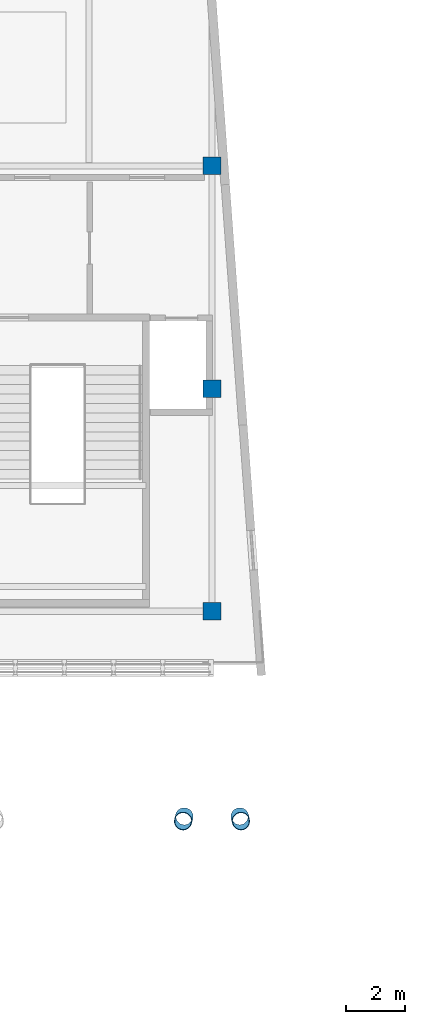
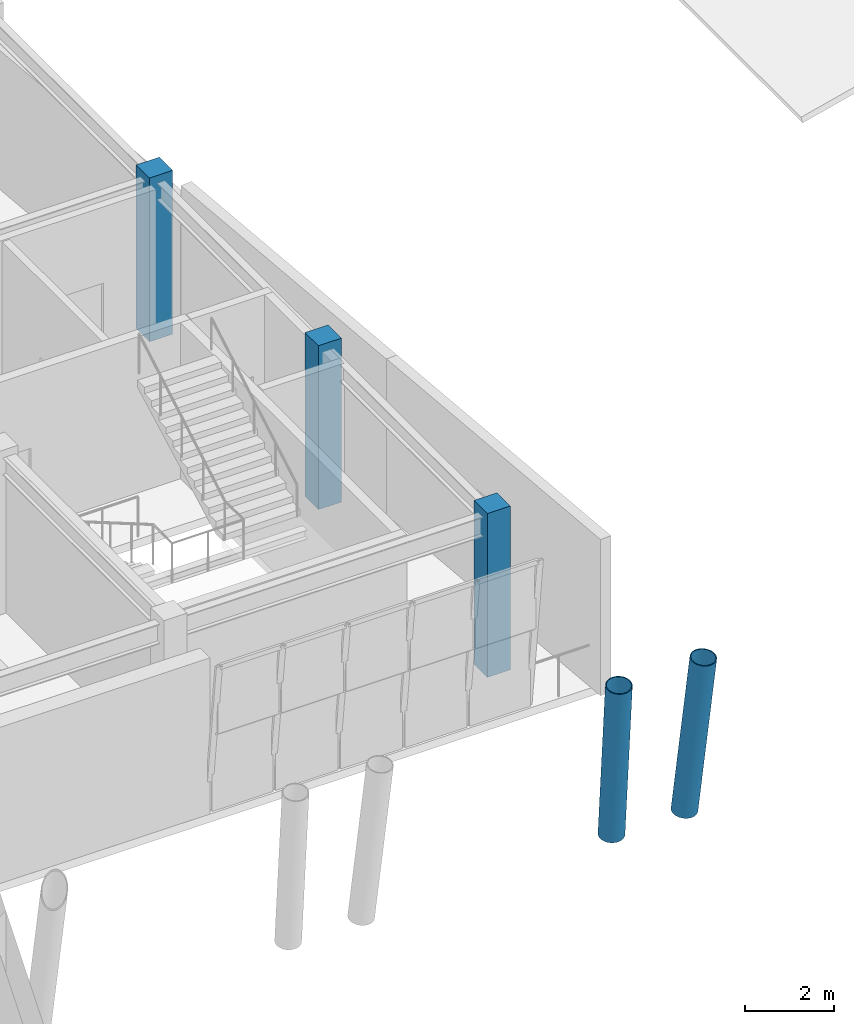
# One storey, part 2 of 28: 5 columns.
"""IFC4 building model written with IfcOpenShell, lengths in metres."""

from ifc_helpers import new_model, si_unit, direction, frame, origin, origin_2d, place, context, subcontext, project, spatial, rectangle, hollow_circle, extrude, material, material_profile, profile_set, type_object, element, save


model = new_model("IFC4")

# Units and contexts
model_context = context("Model", 3, precision=1e-05, world=origin(), true_north=direction((0.0, 1.0)))
body_context = subcontext(model_context, "Body", "Model", "MODEL_VIEW")
ifc_project = project(units=[si_unit("LENGTHUNIT", "METRE"), si_unit("AREAUNIT", "SQUARE_METRE"), si_unit("VOLUMEUNIT", "CUBIC_METRE"), si_unit("PLANEANGLEUNIT", "RADIAN"), si_unit("MASSUNIT", "GRAM", prefix="KILO")], contexts=[model_context])

# Site, building, storey
site_placement = place(None, origin())
site = spatial("IfcSite", under=ifc_project, at=site_placement, CompositionType="ELEMENT")
building_placement = place(site_placement, origin())
building = spatial("IfcBuilding", under=site, at=building_placement, Name="Xicomal Pleat Aquarium", CompositionType="ELEMENT")
storey_placement = place(building_placement, frame((0.0, 0.0, 15.300048828125)))
storey = spatial("IfcBuildingStorey", under=building, at=storey_placement, Name="L04", CompositionType="ELEMENT", Elevation=15.300048828125)

# Columns
ifc_material_1 = material(Name="Concrete C40/50", Category="concrete")
ifc_material_profile_1 = material_profile(ifc_material_1, rectangle(XDim=0.60009765625, YDim=0.60009765625, at=origin_2d()), Name="RC 600x600")
ifc_profile_set_1 = profile_set([ifc_material_profile_1], Name="Concrete C40/50")
column_type_1 = type_object("IfcColumnType", Name="COL-RC-600x600", PredefinedType="COLUMN", material=ifc_profile_set_1)
for number, where, z_axis, x_axis, name in (
    (1, (35.39990234375, 15.199951171875, 0.0), (0.0, 0.0, 1.0), (1.0, 0.0, 0.0), "L04 column 05/C"),
    (2, (35.39990234375, 22.800048828125, 0.0), (0.0, 0.0, 1.0), (1.0, 0.0, 0.0), "L04 column 05/D"),
    (3, (35.39990234375, 30.39990234375, 0.0), (0.0, 0.0, 1.0), (1.0, 0.0, 0.0), "L04 column 05/E"),
):
    element("IfcColumn", number, at=place(storey_placement, frame(where, z_axis=z_axis, x_axis=x_axis)), inside=storey, type_object=column_type_1, Name=name, PredefinedType="COLUMN", context=body_context, shape_type="SweptSolid", body=[
        extrude(rectangle(XDim=0.60009765625, YDim=0.60009765625, at=origin_2d()), origin(), (0.0, 0.0, 1.0), 4.5),
    ])
ifc_material_2 = material(Name="Architectural steel ASTM A572 Gr 50", Category="steel")
ifc_material_profile_2 = material_profile(ifc_material_2, hollow_circle(Radius=0.304931640625, WallThickness=0.02392578125, at=origin_2d()), Name="OC 610x24")
ifc_profile_set_2 = profile_set([ifc_material_profile_2], Name="Architectural steel ASTM A572 Gr 50")
column_type_2 = type_object("IfcColumnType", Name="COL-STL-OC610", PredefinedType="COLUMN", material=ifc_profile_set_2)
for number, where, z_axis, x_axis, name in (
    (4, (34.451904296875, 8.18896484375, 0.005859375), (-0.03288004039, -0.130711635976, 0.990875053256), (0.969788609122, -0.243946825387, 0.0), "L04 entrance pavilion splayed steel column 05W"),
    (5, (36.347900390625, 8.18896484375, 0.005859375), (0.032933883679, -0.130711404128, 0.990873295703), (0.96969393532, 0.244322884322, 0.0), "L04 entrance pavilion splayed steel column 05E"),
):
    element("IfcColumn", number, at=place(storey_placement, frame(where, z_axis=z_axis, x_axis=x_axis)), inside=storey, type_object=column_type_2, Name=name, PredefinedType="COLUMN", context=body_context, shape_type="SweptSolid", body=[
        extrude(hollow_circle(Radius=0.304931640625, WallThickness=0.02392578125, at=origin_2d()), origin(), (0.0, 0.0, 1.0), 4.529296875),
    ])

save(model, "model.ifc")
